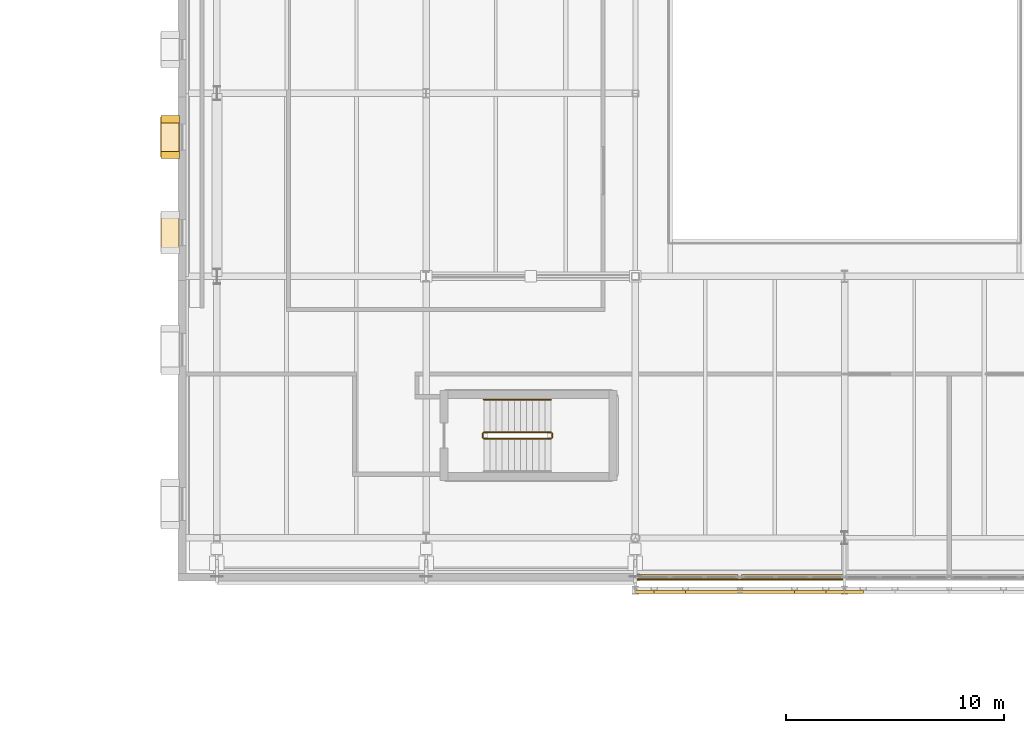
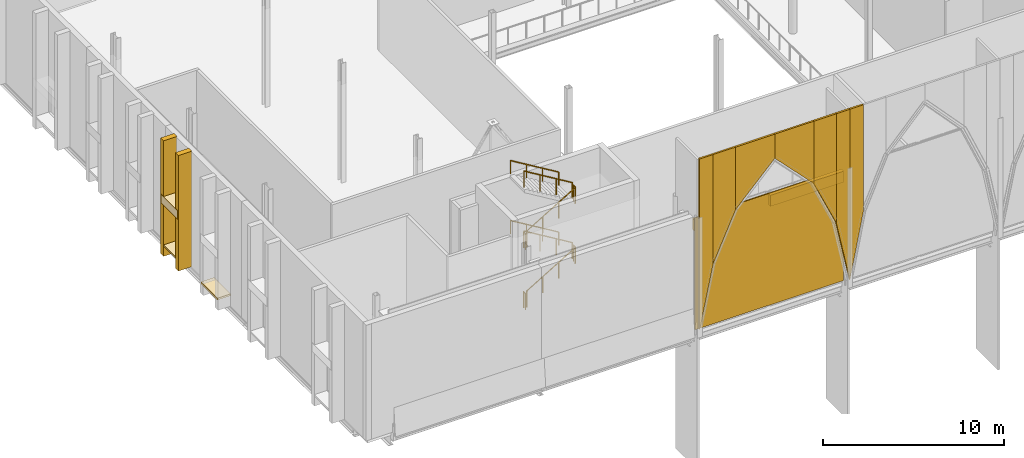
# One storey, part 69 of 79: 14 coverings, 10 railings, 1 shading device.
"""IFC4 building model written with IfcOpenShell, lengths in metres."""

from ifc_helpers import new_model, si_unit, direction, frame, origin, origin_2d, place, context, subcontext, project, spatial, polyline, rectangle, circle, outline, extrude, material, layer, layer_set, type_object, element, save


model = new_model("IFC4")

# Units and contexts
model_context = context("Model", 3, precision=1e-05, world=origin(), true_north=direction((0.0, 1.0)))
body_context = subcontext(model_context, "Body", "Model", "MODEL_VIEW")
ifc_project = project(units=[si_unit("LENGTHUNIT", "METRE"), si_unit("AREAUNIT", "SQUARE_METRE"), si_unit("VOLUMEUNIT", "CUBIC_METRE"), si_unit("PLANEANGLEUNIT", "RADIAN"), si_unit("MASSUNIT", "GRAM", prefix="KILO")], contexts=[model_context])

# Site, building, storey
site_placement = place(None, origin())
site = spatial("IfcSite", under=ifc_project, at=site_placement, CompositionType="ELEMENT")
building_placement = place(site_placement, origin())
building = spatial("IfcBuilding", under=site, at=building_placement, Name="Zereglee Splitstone Museum", CompositionType="ELEMENT")
storey_placement = place(building_placement, frame((0.0, 0.0, 9.0)))
storey = spatial("IfcBuildingStorey", under=building, at=storey_placement, Name="L02", CompositionType="ELEMENT", Elevation=9.0)

# Coverings
ifc_material_1 = material(Name="Honed Gobi pale limestone stringcourse and soffit cladding", Category="masonry")
ifc_layer_1 = layer(ifc_material_1, 0.070068359375)
ifc_layer_set_1 = layer_set([ifc_layer_1], Name="Honed Gobi pale limestone stringcourse and soffit cladding")
covering_type_1 = type_object("IfcCoveringType", Name="CL-02", PredefinedType="CLADDING", material=ifc_layer_set_1)
for number, where, z_axis, x_axis, name in (
    (1, (75.85498046875, 28.81005859375, 0.0), (0.0, 0.0, 1.0), (0.0, -1.0, 0.0), "Mughal Window Reveal Stone Pilaster L02-0097L"),
    (2, (75.85498046875, 27.169921875, 0.0), (0.0, 0.0, 1.0), (0.0, -1.0, 0.0), "Mughal Window Reveal Stone Pilaster L02-0097R"),
):
    element("IfcCovering", number, at=place(storey_placement, frame(where, z_axis=z_axis, x_axis=x_axis)), inside=storey, type_object=covering_type_1, Name=name, PredefinedType="CLADDING", context=body_context, shape_type="SweptSolid", body=[
        extrude(rectangle(XDim=0.340087890625, YDim=0.860107421875, at=origin_2d()), origin(), (0.0, 0.0, 1.0), 7.800048828125),
    ])
for number, where, z_axis, x_axis, name in (
    (3, (75.844970703125, 27.989990234375, 0.659912109375), (0.0, 0.0, 1.0), (0.0, -1.0, 0.0), "Carved Limestone Window Sill L02-0097"),
    (4, (75.844970703125, 23.610107421875, 0.659912109375), (0.0, 0.0, 1.0), (0.0, -1.0, 0.0), "Carved Limestone Window Sill L02-0098"),
):
    element("IfcCovering", number, at=place(storey_placement, frame(where, z_axis=z_axis, x_axis=x_axis)), inside=storey, type_object=covering_type_1, Name=name, PredefinedType="CLADDING", context=body_context, shape_type="SweptSolid", body=[
        extrude(rectangle(XDim=1.840087890625, YDim=0.840087890625, at=origin_2d()), origin(), (0.0, 0.0, 1.0), 0.1201171875),
    ])
for number, where, z_axis, x_axis, name in (
    (5, (99.580078125, 7.800048828125, 6.764892578125), (0.0, 0.0, 1.0), (1.0, 0.0, 0.0), "Mughal Carved Clerestory Jaali Frieze RC4-CW-L02-106-1"),
    (6, (104.419921875, 7.800048828125, 6.7451171875), (0.0, 0.0, 1.0), (1.0, 0.0, 0.0), "Mughal Carved Clerestory Jaali Frieze RC4-CW-L02-106-2"),
):
    element("IfcCovering", number, at=place(storey_placement, frame(where, z_axis=z_axis, x_axis=x_axis)), inside=storey, type_object=covering_type_1, Name=name, PredefinedType="CLADDING", context=body_context, shape_type="SweptSolid", body=[
        extrude(rectangle(XDim=4.679931640625, YDim=0.239990234375, at=origin_2d()), origin(), (0.0, 0.0, 1.0), 0.75),
    ])
ifc_material_2 = material(Name="Honed Khoroo red sandstone ventilated rainscreen", Category="masonry")
ifc_layer_2 = layer(ifc_material_2, 0.080078125)
ifc_layer_set_2 = layer_set([ifc_layer_2], Name="Honed Khoroo red sandstone ventilated rainscreen")
covering_type_2 = type_object("IfcCoveringType", Name="CL-01", PredefinedType="CLADDING", material=ifc_layer_set_2)
covering_1_placement = place(storey_placement, frame((75.844970703125, 27.989990234375, 3.4599609375), z_axis=(0.0, 0.0, 1.0), x_axis=(0.0, -1.0, 0.0)))
element("IfcCovering", 7, at=covering_1_placement, inside=storey, type_object=covering_type_2, Name="Pointed-Arch Mughal Window Hood L02-0097", PredefinedType="CLADDING", context=body_context, shape_type="SweptSolid", body=[
    extrude(rectangle(XDim=1.840087890625, YDim=0.860107421875, at=origin_2d()), origin(), (0.0, 0.0, 1.0), 0.580078125),
])
covering_2_placement = place(storey_placement, frame((97.199951171875, 7.06005859375, 0.5), z_axis=(0.0, -1.0, 0.0), x_axis=(0.203451466719, 0.0, 0.97908503241)))
element("IfcCovering", 8, at=covering_2_placement, inside=storey, type_object=covering_type_2, Name="Mughal Pishtaq Pointed-Arch Stone Voussoir PSQ-ATRS-1-1", PredefinedType="CLADDING", context=body_context, shape_type="SweptSolid", body=[
    extrude(outline(polyline([(0.0, 0.0), (4.246780255785753, -1.1102230246251565e-16), (11.46944464526492, 1.500851933202206), (11.293659796456256, 2.346794787132798), (0.0, 0.0)])), origin(), (0.0, 0.0, -1.0), 0.1201171875),
])
covering_3_placement = place(storey_placement, frame((98.06396484375, 7.06005859375, 4.657958984375), z_axis=(0.0, -1.0, 0.0), x_axis=(0.413792372507, 0.0, 0.910371282749)))
element("IfcCovering", 9, at=covering_3_placement, inside=storey, type_object=covering_type_2, Name="Mughal Pishtaq Pointed-Arch Stone Voussoir PSQ-ATRS-1-2", PredefinedType="CLADDING", context=body_context, shape_type="SweptSolid", body=[
    extrude(outline(polyline([(0.0, 0.0), (3.4798645454111843, 0.0), (7.31160304995195, 1.7416456303777306), (6.715766279188153, 3.052526935469461), (0.0, 0.0)])), origin(), (0.0, 0.0, -1.0), 0.1201171875),
])
covering_4_placement = place(storey_placement, frame((99.50390625, 7.06005859375, 7.825927734375), z_axis=(0.0, -1.0, 0.0), x_axis=(0.696162850583, 0.0, 0.717883894141)))
element("IfcCovering", 10, at=covering_4_placement, inside=storey, type_object=covering_type_2, Name="Mughal Pishtaq Pointed-Arch Stone Voussoir PSQ-ATRS-1-3", PredefinedType="CLADDING", context=body_context, shape_type="SweptSolid", body=[
    extrude(outline(polyline([(0.0, 0.0), (3.585502656322576, 0.0), (4.7592498338285845, 1.1382330591692529), (3.02156209350509, 2.9301385605611348), (0.0, 0.0)])), origin(), (0.0, 0.0, -1.0), 0.1201171875),
])
covering_5_placement = place(storey_placement, frame((102.0, 7.06005859375, 10.39990234375), z_axis=(0.0, -1.0, 0.0), x_axis=(0.696162850583, 0.0, -0.717883894141)))
element("IfcCovering", 11, at=covering_5_placement, inside=storey, type_object=covering_type_2, Name="Mughal Pishtaq Pointed-Arch Stone Voussoir PSQ-ATRS-1-4", PredefinedType="CLADDING", context=body_context, shape_type="SweptSolid", body=[
    extrude(outline(polyline([(0.0, 0.0), (3.585502656322576, 0.0), (0.5639405628174856, 2.9301385605611348), (-1.1737471775060087, 1.1382330591692529), (0.0, 0.0)])), origin(), (0.0, 0.0, -1.0), 0.1201171875),
])
covering_6_placement = place(storey_placement, frame((104.49609375, 7.06005859375, 7.825927734375), z_axis=(0.0, -1.0, 0.0), x_axis=(0.413792372507, 0.0, -0.910371282749)))
element("IfcCovering", 12, at=covering_6_placement, inside=storey, type_object=covering_type_2, Name="Mughal Pishtaq Pointed-Arch Stone Voussoir PSQ-ATRS-1-5", PredefinedType="CLADDING", context=body_context, shape_type="SweptSolid", body=[
    extrude(outline(polyline([(0.0, 0.0), (3.4798645454111843, 0.0), (-3.235901733776968, 3.052526935469461), (-3.831738504540765, 1.7416456303777306), (0.0, 0.0)])), origin(), (0.0, 0.0, -1.0), 0.1201171875),
])
covering_7_placement = place(storey_placement, frame((105.93603515625, 7.06005859375, 4.657958984375), z_axis=(0.0, -1.0, 0.0), x_axis=(0.203451466719, 0.0, -0.97908503241)))
element("IfcCovering", 13, at=covering_7_placement, inside=storey, type_object=covering_type_2, Name="Mughal Pishtaq Pointed-Arch Stone Voussoir PSQ-ATRS-1-6", PredefinedType="CLADDING", context=body_context, shape_type="SweptSolid", body=[
    extrude(outline(polyline([(0.0, 0.0), (4.246780255785753, 1.1102230246251565e-16), (-7.046879540670503, 2.346794787132798), (-7.222664389479167, 1.5008519332022061), (0.0, 0.0)])), origin(), (0.0, 0.0, -1.0), 0.1201171875),
])
covering_8_placement = place(storey_placement, frame((106.800048828125, 7.06005859375, 0.5), z_axis=(0.0, -1.0, 0.0), x_axis=(0.194950707798, 0.0, 0.980813041068)))
element("IfcCovering", 14, at=covering_8_placement, inside=storey, type_object=covering_type_2, Name="Mughal Pishtaq Pointed-Arch Stone Voussoir PSQ-ATRS-2-1", PredefinedType="CLADDING", context=body_context, shape_type="SweptSolid", body=[
    extrude(outline(polyline([(0.0, 0.0), (4.431959656033415, 0.0), (11.482032301327664, 1.401303403071966), (11.313592224448659, 2.248739280108049), (0.0, 0.0)])), origin(), (0.0, 0.0, -1.0), 0.1201171875),
])

# Railings
ifc_material_3 = material(Name="Painted steel S355J2 post-and-baluster guard", Category="steel")
railing_type_1 = type_object("IfcRailingType", Name="GR-03", PredefinedType="BALUSTRADE", material=ifc_material_3)
railing_1_placement = place(storey_placement, frame((90.25, 14.14990234375, 0.168701171875)))
element("IfcRailing", 15, at=railing_1_placement, inside=storey, type_object=railing_type_1, Name="L02 ST-06 stair guard 1", PredefinedType="BALUSTRADE", context=body_context, shape_type="SweptSolid", body=[
    extrude(circle(Radius=0.02392578125, at=origin_2d()), frame((0.0, 0.0, 1.076416015625), z_axis=(0.856490936558, 0.0, 0.516162063304), x_axis=(0.0, 1.0, 0.0)), (0.0, 0.0, 1.0), 3.59619140625),
    extrude(circle(Radius=0.02099609375, at=origin_2d()), origin(), (0.0, 0.0, 1.0), 1.052001953125),
    extrude(circle(Radius=0.02099609375, at=origin_2d()), frame((1.026611328125, 0.0, 0.61865234375)), (0.0, 0.0, 1.0), 1.052001953125),
    extrude(circle(Radius=0.02099609375, at=origin_2d()), frame((2.053466796875, 0.0, 1.237548828125)), (0.0, 0.0, 1.0), 1.052001953125),
    extrude(circle(Radius=0.02099609375, at=origin_2d()), frame((3.080078125, 0.0, 1.856201171875)), (0.0, 0.0, 1.0), 1.052001953125),
])
railing_2_placement = place(storey_placement, frame((93.3798828125, 14.199951171875, 2.02490234375)))
element("IfcRailing", 16, at=railing_2_placement, inside=storey, type_object=railing_type_1, Name="L02 ST-06 stair guard 2", PredefinedType="BALUSTRADE", context=body_context, shape_type="SweptSolid", body=[
    extrude(circle(Radius=0.02392578125, at=origin_2d()), frame((0.0, 0.0, 1.076416015625), z_axis=(0.0, 1.0, 0.0), x_axis=(-1.0, 0.0, 0.0)), (0.0, 0.0, 1.0), 0.199951171875),
    extrude(circle(Radius=0.02099609375, at=origin_2d()), origin(), (0.0, 0.0, 1.0), 1.052001953125),
    extrude(circle(Radius=0.02099609375, at=origin_2d()), frame((0.0, 0.199951171875, 0.0)), (0.0, 0.0, 1.0), 1.052001953125),
])
railing_3_placement = place(storey_placement, frame((93.330078125, 14.449951171875, 2.19384765625)))
element("IfcRailing", 17, at=railing_3_placement, inside=storey, type_object=railing_type_1, Name="L02 ST-06 stair guard 3", PredefinedType="BALUSTRADE", context=body_context, shape_type="SweptSolid", body=[
    extrude(circle(Radius=0.02392578125, at=origin_2d()), frame((0.0, 0.0, 1.076416015625), z_axis=(-0.856490936558, 0.0, 0.516162063304), x_axis=(0.0, -1.0, 0.0)), (0.0, 0.0, 1.0), 3.59619140625),
    extrude(circle(Radius=0.02099609375, at=origin_2d()), origin(), (0.0, 0.0, 1.0), 1.052001953125),
    extrude(circle(Radius=0.02099609375, at=origin_2d()), frame((-1.026611328125, 0.0, 0.61865234375)), (0.0, 0.0, 1.0), 1.052001953125),
    extrude(circle(Radius=0.02099609375, at=origin_2d()), frame((-2.053466796875, 0.0, 1.237548828125)), (0.0, 0.0, 1.0), 1.052001953125),
    extrude(circle(Radius=0.02099609375, at=origin_2d()), frame((-3.080078125, 0.0, 1.856201171875)), (0.0, 0.0, 1.0), 1.052001953125),
])
railing_4_placement = place(storey_placement, frame((90.199951171875, 14.199951171875, 4.050048828125)))
element("IfcRailing", 18, at=railing_4_placement, inside=storey, type_object=railing_type_1, Name="L02 ST-06 stair guard 4", PredefinedType="BALUSTRADE", context=body_context, shape_type="SweptSolid", body=[
    extrude(circle(Radius=0.02392578125, at=origin_2d()), frame((0.0, 0.0, 1.076416015625), z_axis=(0.0, 1.0, 0.0), x_axis=(-1.0, 0.0, 0.0)), (0.0, 0.0, 1.0), 0.199951171875),
    extrude(circle(Radius=0.02099609375, at=origin_2d()), origin(), (0.0, 0.0, 1.0), 1.052001953125),
    extrude(circle(Radius=0.02099609375, at=origin_2d()), frame((0.0, 0.199951171875, 0.0)), (0.0, 0.0, 1.0), 1.052001953125),
])
railing_5_placement = place(storey_placement, frame((90.25, 14.14990234375, 4.21875)))
element("IfcRailing", 19, at=railing_5_placement, inside=storey, type_object=railing_type_1, Name="L02 ST-06 stair guard 5", PredefinedType="BALUSTRADE", context=body_context, shape_type="SweptSolid", body=[
    extrude(circle(Radius=0.02392578125, at=origin_2d()), frame((0.0, 0.0, 1.076416015625), z_axis=(0.856490936558, 0.0, 0.516162063304), x_axis=(0.0, 1.0, 0.0)), (0.0, 0.0, 1.0), 3.59619140625),
    extrude(circle(Radius=0.02099609375, at=origin_2d()), origin(), (0.0, 0.0, 1.0), 1.052001953125),
    extrude(circle(Radius=0.02099609375, at=origin_2d()), frame((1.026611328125, 0.0, 0.61865234375)), (0.0, 0.0, 1.0), 1.052001953125),
    extrude(circle(Radius=0.02099609375, at=origin_2d()), frame((2.053466796875, 0.0, 1.237548828125)), (0.0, 0.0, 1.0), 1.052001953125),
    extrude(circle(Radius=0.02099609375, at=origin_2d()), frame((3.080078125, 0.0, 1.856201171875)), (0.0, 0.0, 1.0), 1.052001953125),
])
railing_6_placement = place(storey_placement, frame((93.3798828125, 14.199951171875, 6.074951171875)))
element("IfcRailing", 20, at=railing_6_placement, inside=storey, type_object=railing_type_1, Name="L02 ST-06 stair guard 6", PredefinedType="BALUSTRADE", context=body_context, shape_type="SweptSolid", body=[
    extrude(circle(Radius=0.02392578125, at=origin_2d()), frame((0.0, 0.0, 1.076416015625), z_axis=(0.0, 1.0, 0.0), x_axis=(-1.0, 0.0, 0.0)), (0.0, 0.0, 1.0), 0.199951171875),
    extrude(circle(Radius=0.02099609375, at=origin_2d()), origin(), (0.0, 0.0, 1.0), 1.052001953125),
    extrude(circle(Radius=0.02099609375, at=origin_2d()), frame((0.0, 0.199951171875, 0.0)), (0.0, 0.0, 1.0), 1.052001953125),
])
railing_7_placement = place(storey_placement, frame((93.330078125, 14.449951171875, 6.24365234375)))
element("IfcRailing", 21, at=railing_7_placement, inside=storey, type_object=railing_type_1, Name="L02 ST-06 stair guard 7", PredefinedType="BALUSTRADE", context=body_context, shape_type="SweptSolid", body=[
    extrude(circle(Radius=0.02392578125, at=origin_2d()), frame((0.0, 0.0, 1.076416015625), z_axis=(-0.856460923124, 0.0, 0.51621186267), x_axis=(0.0, -1.0, 0.0)), (0.0, 0.0, 1.0), 3.59619140625),
    extrude(circle(Radius=0.02099609375, at=origin_2d()), origin(), (0.0, 0.0, 1.0), 1.052001953125),
    extrude(circle(Radius=0.02099609375, at=origin_2d()), frame((-1.026611328125, 0.0, 0.618896484375)), (0.0, 0.0, 1.0), 1.052001953125),
    extrude(circle(Radius=0.02099609375, at=origin_2d()), frame((-2.053466796875, 0.0, 1.237548828125)), (0.0, 0.0, 1.0), 1.052001953125),
    extrude(circle(Radius=0.02099609375, at=origin_2d()), frame((-3.080078125, 0.0, 1.8564453125)), (0.0, 0.0, 1.0), 1.052001953125),
])
railing_8_placement = place(storey_placement, frame((90.199951171875, 14.199951171875, 0.0)))
element("IfcRailing", 22, at=railing_8_placement, inside=storey, type_object=railing_type_1, Name="L02 ST-06 stair guard 8", PredefinedType="BALUSTRADE", context=body_context, shape_type="SweptSolid", body=[
    extrude(circle(Radius=0.02392578125, at=origin_2d()), frame((0.0, 0.0, 1.076416015625), z_axis=(0.0, 1.0, 0.0), x_axis=(-1.0, 0.0, 0.0)), (0.0, 0.0, 1.0), 0.199951171875),
    extrude(circle(Radius=0.02099609375, at=origin_2d()), origin(), (0.0, 0.0, 1.0), 1.052001953125),
    extrude(circle(Radius=0.02099609375, at=origin_2d()), frame((0.0, 0.199951171875, 0.0)), (0.0, 0.0, 1.0), 1.052001953125),
])
ifc_material_4 = material(Name="Architectural bronze tubular handrail", Category="steel")
railing_type_2 = type_object("IfcRailingType", Name="HR-01", PredefinedType="HANDRAIL", material=ifc_material_4)
railing_9_placement = place(storey_placement, frame((93.330078125, 15.949951171875, 2.19384765625)))
element("IfcRailing", 23, at=railing_9_placement, inside=storey, type_object=railing_type_2, Name="L02 ST-06 stair handrail 2", PredefinedType="HANDRAIL", context=body_context, shape_type="SweptSolid", body=[
    extrude(circle(Radius=0.02392578125, at=origin_2d()), frame((0.0, 0.0, 0.8759765625), z_axis=(-0.856490936558, 0.0, 0.516162063304), x_axis=(0.0, -1.0, 0.0)), (0.0, 0.0, 1.0), 3.59619140625),
    extrude(circle(Radius=0.02099609375, at=origin_2d()), origin(), (0.0, 0.0, 1.0), 0.851806640625),
    extrude(circle(Radius=0.02099609375, at=origin_2d()), frame((-1.026611328125, 0.0, 0.61865234375)), (0.0, 0.0, 1.0), 0.851806640625),
    extrude(circle(Radius=0.02099609375, at=origin_2d()), frame((-2.053466796875, 0.0, 1.237548828125)), (0.0, 0.0, 1.0), 0.851806640625),
    extrude(circle(Radius=0.02099609375, at=origin_2d()), frame((-3.080078125, 0.0, 1.856201171875)), (0.0, 0.0, 1.0), 0.851806640625),
])
railing_10_placement = place(storey_placement, frame((93.330078125, 15.949951171875, 6.24365234375)))
element("IfcRailing", 24, at=railing_10_placement, inside=storey, type_object=railing_type_2, Name="L02 ST-06 stair handrail 4", PredefinedType="HANDRAIL", context=body_context, shape_type="SweptSolid", body=[
    extrude(circle(Radius=0.02392578125, at=origin_2d()), frame((0.0, 0.0, 0.8759765625), z_axis=(-0.856460923124, 0.0, 0.51621186267), x_axis=(0.0, -1.0, 0.0)), (0.0, 0.0, 1.0), 3.59619140625),
    extrude(circle(Radius=0.02099609375, at=origin_2d()), origin(), (0.0, 0.0, 1.0), 0.851806640625),
    extrude(circle(Radius=0.02099609375, at=origin_2d()), frame((-1.026611328125, 0.0, 0.618896484375)), (0.0, 0.0, 1.0), 0.851806640625),
    extrude(circle(Radius=0.02099609375, at=origin_2d()), frame((-2.053466796875, 0.0, 1.237548828125)), (0.0, 0.0, 1.0), 0.851806640625),
    extrude(circle(Radius=0.02099609375, at=origin_2d()), frame((-3.080078125, 0.0, 1.8564453125)), (0.0, 0.0, 1.0), 0.851806640625),
])

# Shading device
ifc_material_5 = material(Name="Patinated architectural bronze CuSn8 geometric jali screen")
ifc_layer_3 = layer(ifc_material_5, 0.06005859375)
ifc_layer_set_3 = layer_set([ifc_layer_3], Name="Patinated architectural bronze CuSn8 geometric jali screen")
shading_device_type = type_object("IfcShadingDeviceType", Name="JL-01", PredefinedType="USERDEFINED", material=ifc_layer_set_3)
shading_device_placement = place(storey_placement, frame((97.25, 7.719970703125, 0.1201171875), z_axis=(0.0, -1.0, 0.0), x_axis=(1.0, 0.0, 0.0)))
element("IfcShadingDevice", 25, at=shading_device_placement, inside=storey, type_object=shading_device_type, Name="Bronze Mughal Jali Screen 23", ObjectType="SCREEN", PredefinedType="USERDEFINED", context=body_context, shape_type="SweptSolid", body=[
    extrude(outline(polyline([(0.0, 0.0), (9.5, 0.0), (9.5, 7.559814453125), (0.0, 7.559814453125), (0.0, 0.0)])), origin(), (0.0, 0.0, 1.0), 0.06005859375),
])

save(model, "model.ifc")
